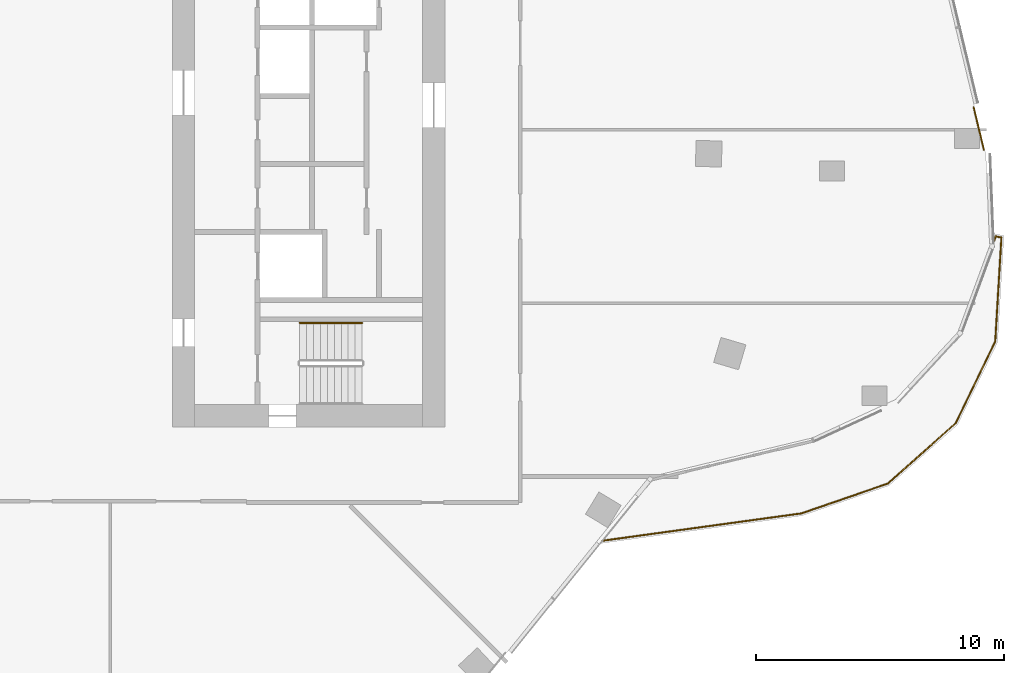
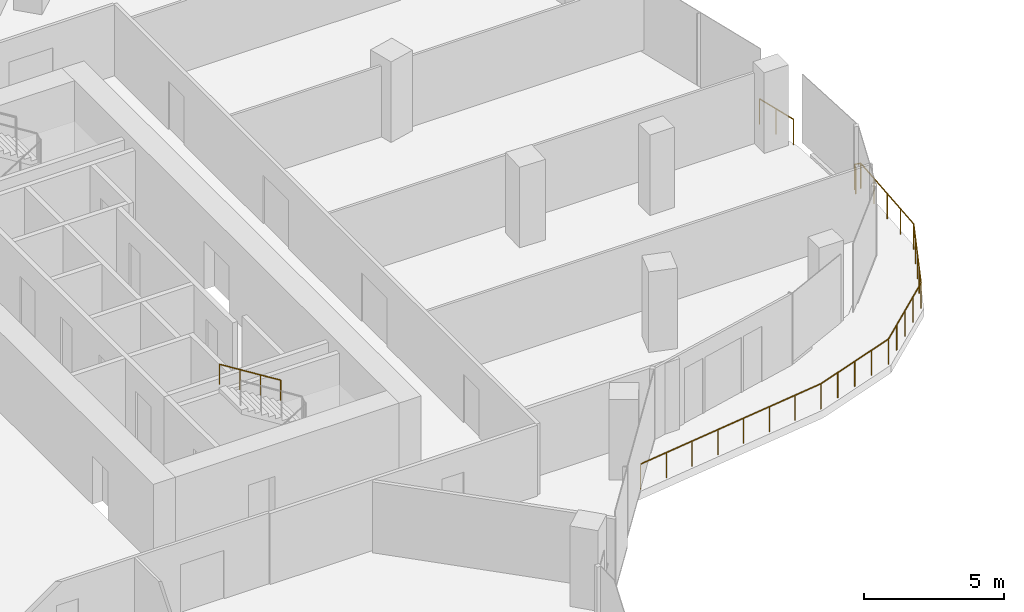
# One storey, part 22 of 24: 4 railings.
"""IFC4 building model written with IfcOpenShell, lengths in metres."""

from ifc_helpers import new_model, si_unit, direction, frame, origin, origin_2d, place, context, subcontext, project, spatial, circle, extrude, material, type_object, element, save


model = new_model("IFC4")

# Units and contexts
model_context = context("Model", 3, precision=1e-05, world=origin(), true_north=direction((0.0, 1.0)))
body_context = subcontext(model_context, "Body", "Model", "MODEL_VIEW")
ifc_project = project(units=[si_unit("LENGTHUNIT", "METRE"), si_unit("AREAUNIT", "SQUARE_METRE"), si_unit("VOLUMEUNIT", "CUBIC_METRE"), si_unit("PLANEANGLEUNIT", "RADIAN"), si_unit("MASSUNIT", "GRAM", prefix="KILO")], contexts=[model_context])

# Site, building, storey
site_placement = place(None, origin())
site = spatial("IfcSite", under=ifc_project, at=site_placement, CompositionType="ELEMENT")
building_placement = place(site_placement, origin())
building = spatial("IfcBuilding", under=site, at=building_placement, Name="Orlundy Tower", CompositionType="ELEMENT")
storey_placement = place(building_placement, frame((0.0, 0.0, 210.5)))
storey = spatial("IfcBuildingStorey", under=building, at=storey_placement, Name="L55", CompositionType="ELEMENT", Elevation=210.5)

# Railings
ifc_material_1 = material(Name="Steel handrail", Category="steel")
railing_type_1 = type_object("IfcRailingType", Name="Stair Handrail 900", PredefinedType="HANDRAIL", material=ifc_material_1)
railing_1_placement = place(storey_placement, frame((15.659912109375, -7.800048828125, 1.925048828125)))
element("IfcRailing", 1, at=railing_1_placement, inside=storey, type_object=railing_type_1, Name="L55 ST-E1 stair handrail 2", PredefinedType="HANDRAIL", context=body_context, shape_type="SweptSolid", body=[
    extrude(circle(Radius=0.02392578125, at=origin_2d()), frame((0.0, 0.0, 0.8759765625), z_axis=(-0.848007534815, 0.0, 0.529984170421), x_axis=(0.0, -1.0, 0.0)), (0.0, 0.0, 1.0), 2.9716796875),
    extrude(circle(Radius=0.02099609375, at=origin_2d()), origin(), (0.0, 0.0, 1.0), 0.851806640625),
    extrude(circle(Radius=0.02099609375, at=origin_2d()), frame((-0.840087890625, 0.0, 0.52490234375)), (0.0, 0.0, 1.0), 0.851806640625),
    extrude(circle(Radius=0.02099609375, at=origin_2d()), frame((-1.679931640625, 0.0, 1.050048828125)), (0.0, 0.0, 1.0), 0.851806640625),
    extrude(circle(Radius=0.02099609375, at=origin_2d()), frame((-2.52001953125, 0.0, 1.574951171875)), (0.0, 0.0, 1.0), 0.851806640625),
])
ifc_material_2 = material(Name="Stainless steel bronze finish", Category="steel")
railing_type_2 = type_object("IfcRailingType", Name="TG1 terrace guard", PredefinedType="GUARDRAIL", material=ifc_material_2)
railing_2_placement = place(storey_placement, frame((40.5625, 0.0791015625, 0.0)))
element("IfcRailing", 2, at=railing_2_placement, inside=storey, type_object=railing_type_2, Name="Guard TG-L55-E020", PredefinedType="GUARDRAIL", context=body_context, shape_type="SweptSolid", body=[
    extrude(circle(Radius=0.02490234375, at=origin_2d()), frame((0.0, 0.0, 1.09521484375), z_axis=(0.233352616613, -0.972392182362, 0.0), x_axis=(0.972392182362, 0.233352616613, 0.0)), (0.0, 0.0, 1.0), 0.908203125),
    extrude(circle(Radius=0.02001953125, at=origin_2d()), origin(), (0.0, 0.0, 1.0), 1.070068359375),
    extrude(circle(Radius=0.02001953125, at=origin_2d()), frame((0.2119140625, -0.883056640625, 0.0)), (0.0, 0.0, 1.0), 1.070068359375),
])
railing_3_placement = place(storey_placement, frame((40.363525390625, 0.9072265625, 0.0)))
element("IfcRailing", 3, at=railing_3_placement, inside=storey, type_object=railing_type_2, Name="Guard TG-L55-E028", PredefinedType="GUARDRAIL", context=body_context, shape_type="SweptSolid", body=[
    extrude(circle(Radius=0.02490234375, at=origin_2d()), frame((0.0, 0.0, 1.09521484375), z_axis=(0.23362230267, -0.97232742412, 0.0), x_axis=(0.97232742412, 0.23362230267, 0.0)), (0.0, 0.0, 1.0), 0.851806640625),
    extrude(circle(Radius=0.02001953125, at=origin_2d()), origin(), (0.0, 0.0, 1.0), 1.070068359375),
    extrude(circle(Radius=0.02001953125, at=origin_2d()), frame((0.198974609375, -0.828125, 0.0)), (0.0, 0.0, 1.0), 1.070068359375),
])
railing_4_placement = place(storey_placement, frame((41.15966796875, -4.558837890625, 0.0)))
element("IfcRailing", 4, at=railing_4_placement, inside=storey, type_object=railing_type_2, Name="Guard TG-L55-00", PredefinedType="GUARDRAIL", context=body_context, shape_type="SweptSolid", body=[
    extrude(circle(Radius=0.02490234375, at=origin_2d()), frame((0.0, 0.0, 1.09521484375), z_axis=(0.34562236967, 0.938373687602, 0.0), x_axis=(-0.938373687602, 0.34562236967, 0.0)), (0.0, 0.0, 1.0), 0.272705078125),
    extrude(circle(Radius=0.02490234375, at=origin_2d()), frame((0.09423828125, 0.255859375, 1.09521484375), z_axis=(0.978649299471, -0.205537219612, 0.0), x_axis=(0.205537219612, 0.978649299471, 0.0)), (0.0, 0.0, 1.0), 0.23388671875),
    extrude(circle(Radius=0.02490234375, at=origin_2d()), frame((0.3232421875, 0.207763671875, 1.09521484375), z_axis=(-0.059364310203, -0.998236384167, 0.0), x_axis=(0.998236384167, -0.059364310203, 0.0)), (0.0, 0.0, 1.0), 4.211181640625),
    extrude(circle(Radius=0.02490234375, at=origin_2d()), frame((0.0732421875, -3.99609375, 1.09521484375), z_axis=(-0.436771607692, -0.899572433278, 0.0), x_axis=(0.899572433278, -0.436771607692, 0.0)), (0.0, 0.0, 1.0), 3.66748046875),
    extrude(circle(Radius=0.02490234375, at=origin_2d()), frame((-1.528564453125, -7.295166015625, 1.09521484375), z_axis=(-0.747872011206, -0.663842944419, 0.0), x_axis=(0.663842944419, -0.747872011206, 0.0)), (0.0, 0.0, 1.0), 3.666748046875),
    extrude(circle(Radius=0.02490234375, at=origin_2d()), frame((-4.270751953125, -9.729248046875, 1.09521484375), z_axis=(-0.945064199655, -0.326884778676, 0.0), x_axis=(0.326884778676, -0.945064199655, 0.0)), (0.0, 0.0, 1.0), 3.6767578125),
    extrude(circle(Radius=0.02490234375, at=origin_2d()), frame((-7.74560546875, -10.93115234375, 1.09521484375), z_axis=(-0.99068193326, -0.136195841027, 0.0), x_axis=(0.136195841027, -0.99068193326, 0.0)), (0.0, 0.0, 1.0), 8.120361328125),
    extrude(circle(Radius=0.02001953125, at=origin_2d()), origin(), (0.0, 0.0, 1.0), 1.070068359375),
    extrude(circle(Radius=0.02001953125, at=origin_2d()), frame((0.09423828125, 0.255859375, 0.0)), (0.0, 0.0, 1.0), 1.070068359375),
    extrude(circle(Radius=0.02001953125, at=origin_2d()), frame((0.3232421875, 0.207763671875, 0.0)), (0.0, 0.0, 1.0), 1.070068359375),
    extrude(circle(Radius=0.02001953125, at=origin_2d()), frame((0.2607421875, -0.84326171875, 0.0)), (0.0, 0.0, 1.0), 1.070068359375),
    extrude(circle(Radius=0.02001953125, at=origin_2d()), frame((0.1982421875, -1.89404296875, 0.0)), (0.0, 0.0, 1.0), 1.070068359375),
    extrude(circle(Radius=0.02001953125, at=origin_2d()), frame((0.1357421875, -2.945068359375, 0.0)), (0.0, 0.0, 1.0), 1.070068359375),
    extrude(circle(Radius=0.02001953125, at=origin_2d()), frame((0.0732421875, -3.99609375, 0.0)), (0.0, 0.0, 1.0), 1.070068359375),
    extrude(circle(Radius=0.02001953125, at=origin_2d()), frame((-0.3271484375, -4.82080078125, 0.0)), (0.0, 0.0, 1.0), 1.070068359375),
    extrude(circle(Radius=0.02001953125, at=origin_2d()), frame((-0.7275390625, -5.6455078125, 0.0)), (0.0, 0.0, 1.0), 1.070068359375),
    extrude(circle(Radius=0.02001953125, at=origin_2d()), frame((-1.128173828125, -6.470458984375, 0.0)), (0.0, 0.0, 1.0), 1.070068359375),
    extrude(circle(Radius=0.02001953125, at=origin_2d()), frame((-1.528564453125, -7.295166015625, 0.0)), (0.0, 0.0, 1.0), 1.070068359375),
    extrude(circle(Radius=0.02001953125, at=origin_2d()), frame((-2.214111328125, -7.90380859375, 0.0)), (0.0, 0.0, 1.0), 1.070068359375),
    extrude(circle(Radius=0.02001953125, at=origin_2d()), frame((-2.899658203125, -8.51220703125, 0.0)), (0.0, 0.0, 1.0), 1.070068359375),
    extrude(circle(Radius=0.02001953125, at=origin_2d()), frame((-3.585205078125, -9.12060546875, 0.0)), (0.0, 0.0, 1.0), 1.070068359375),
    extrude(circle(Radius=0.02001953125, at=origin_2d()), frame((-4.270751953125, -9.729248046875, 0.0)), (0.0, 0.0, 1.0), 1.070068359375),
    extrude(circle(Radius=0.02001953125, at=origin_2d()), frame((-5.139404296875, -10.02978515625, 0.0)), (0.0, 0.0, 1.0), 1.070068359375),
    extrude(circle(Radius=0.02001953125, at=origin_2d()), frame((-6.00830078125, -10.330078125, 0.0)), (0.0, 0.0, 1.0), 1.070068359375),
    extrude(circle(Radius=0.02001953125, at=origin_2d()), frame((-6.876953125, -10.630615234375, 0.0)), (0.0, 0.0, 1.0), 1.070068359375),
    extrude(circle(Radius=0.02001953125, at=origin_2d()), frame((-7.74560546875, -10.93115234375, 0.0)), (0.0, 0.0, 1.0), 1.070068359375),
    extrude(circle(Radius=0.02001953125, at=origin_2d()), frame((-8.894775390625, -11.089111328125, 0.0)), (0.0, 0.0, 1.0), 1.070068359375),
    extrude(circle(Radius=0.02001953125, at=origin_2d()), frame((-10.044189453125, -11.2470703125, 0.0)), (0.0, 0.0, 1.0), 1.070068359375),
    extrude(circle(Radius=0.02001953125, at=origin_2d()), frame((-11.193359375, -11.405029296875, 0.0)), (0.0, 0.0, 1.0), 1.070068359375),
    extrude(circle(Radius=0.02001953125, at=origin_2d()), frame((-12.342529296875, -11.563232421875, 0.0)), (0.0, 0.0, 1.0), 1.070068359375),
    extrude(circle(Radius=0.02001953125, at=origin_2d()), frame((-13.49169921875, -11.72119140625, 0.0)), (0.0, 0.0, 1.0), 1.070068359375),
    extrude(circle(Radius=0.02001953125, at=origin_2d()), frame((-14.64111328125, -11.879150390625, 0.0)), (0.0, 0.0, 1.0), 1.070068359375),
    extrude(circle(Radius=0.02001953125, at=origin_2d()), frame((-15.790283203125, -12.037109375, 0.0)), (0.0, 0.0, 1.0), 1.070068359375),
])

save(model, "model.ifc")
